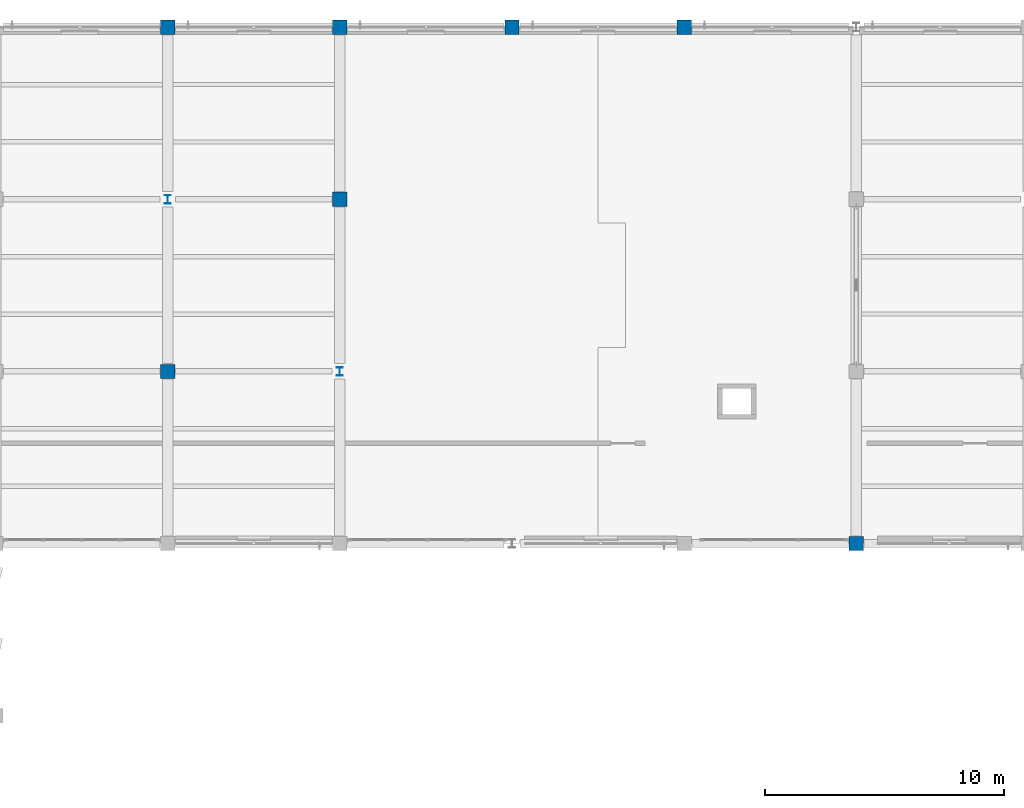
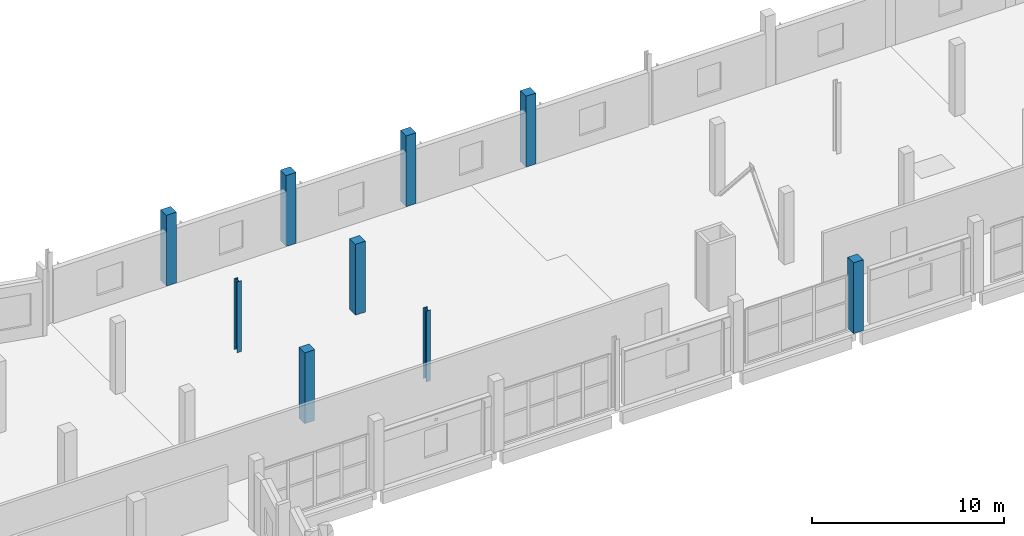
# One storey, part 13 of 123: 9 columns.
"""IFC4 building model written with IfcOpenShell, lengths in metres."""

from ifc_helpers import new_model, si_unit, direction, frame, origin, origin_2d, place, context, subcontext, project, spatial, rectangle, i_section, extrude, material, material_profile, profile_set, type_object, element, save


model = new_model("IFC4")

# Units and contexts
model_context = context("Model", 3, precision=1e-05, world=origin(), true_north=direction((0.0, 1.0)))
body_context = subcontext(model_context, "Body", "Model", "MODEL_VIEW")
ifc_project = project(units=[si_unit("LENGTHUNIT", "METRE"), si_unit("AREAUNIT", "SQUARE_METRE"), si_unit("VOLUMEUNIT", "CUBIC_METRE"), si_unit("PLANEANGLEUNIT", "RADIAN"), si_unit("MASSUNIT", "GRAM", prefix="KILO")], contexts=[model_context])

# Site, building, storey
site_placement = place(None, origin())
site = spatial("IfcSite", under=ifc_project, at=site_placement, CompositionType="ELEMENT")
building_placement = place(site_placement, origin())
building = spatial("IfcBuilding", under=site, at=building_placement, Name="Kalmorath City Hall", CompositionType="ELEMENT")
storey_placement = place(building_placement, frame((0.0, 0.0, 10.199951171875)))
storey = spatial("IfcBuildingStorey", under=building, at=storey_placement, Name="L02", CompositionType="ELEMENT", Elevation=10.199951171875)

# Columns
ifc_material_1 = material(Name="Concrete C50/60", Category="concrete")
ifc_material_profile_1 = material_profile(ifc_material_1, rectangle(XDim=0.60009765625, YDim=0.60009765625, at=origin_2d()), Name="RC-COL-600X600")
ifc_profile_set_1 = profile_set([ifc_material_profile_1], Name="Concrete C50/60")
column_type_1 = type_object("IfcColumnType", Name="Concrete column 600x600", PredefinedType="COLUMN", material=ifc_profile_set_1)
for number, where, z_axis, x_axis, name in (
    (1, (36.0, 100.800048828125, 0.0), (0.0, 0.0, 1.0), (1.0, 0.0, 0.0), "L02 column C6 (6/15)"),
    (2, (36.0, 115.199951171875, 0.0), (0.0, 0.0, 1.0), (1.0, 0.0, 0.0), "L02 column C6 (6/17)"),
    (3, (43.199951171875, 108.0, 0.0), (0.0, 0.0, 1.0), (1.0, 0.0, 0.0), "L02 column C6 (7/16)"),
    (4, (43.199951171875, 115.199951171875, 0.0), (0.0, 0.0, 1.0), (1.0, 0.0, 0.0), "L02 column C6 (7/17)"),
    (5, (50.39990234375, 115.199951171875, 0.0), (0.0, 0.0, 1.0), (1.0, 0.0, 0.0), "L02 column C6 (8/17)"),
    (6, (57.60009765625, 115.199951171875, 0.0), (0.0, 0.0, 1.0), (1.0, 0.0, 0.0), "L02 column C6 (9/17)"),
    (7, (64.800048828125, 93.60009765625, 0.0), (0.0, 0.0, 1.0), (1.0, 0.0, 0.0), "L02 column C6 (10/14)"),
):
    element("IfcColumn", number, at=place(storey_placement, frame(where, z_axis=z_axis, x_axis=x_axis)), inside=storey, type_object=column_type_1, Name=name, PredefinedType="COLUMN", context=body_context, shape_type="SweptSolid", body=[
        extrude(rectangle(XDim=0.60009765625, YDim=0.60009765625, at=origin_2d()), origin(), (0.0, 0.0, 1.0), 4.5),
    ])
ifc_material_2 = material(Name="Steel ASTM A992 Grade 50", Category="steel")
ifc_material_profile_2 = material_profile(ifc_material_2, i_section(OverallWidth=0.25390625, OverallDepth=0.35302734375, WebThickness=0.009521484375, FlangeThickness=0.016357421875, FilletRadius=0.014892578125, at=origin_2d()), Name="W14X61")
ifc_profile_set_2 = profile_set([ifc_material_profile_2], Name="Steel ASTM A992 Grade 50")
column_type_2 = type_object("IfcColumnType", Name="Steel wide-flange column W14X61", PredefinedType="COLUMN", material=ifc_profile_set_2)
for number, where, z_axis, x_axis, name in (
    (8, (36.0, 108.0, 0.0), (0.0, 0.0, 1.0), (1.0, 0.0, 0.0), "L02 column SC1 (6/16)"),
    (9, (43.199951171875, 100.800048828125, 0.0), (0.0, 0.0, 1.0), (1.0, 0.0, 0.0), "L02 column SC1 (7/15)"),
):
    element("IfcColumn", number, at=place(storey_placement, frame(where, z_axis=z_axis, x_axis=x_axis)), inside=storey, type_object=column_type_2, Name=name, PredefinedType="COLUMN", context=body_context, shape_type="SweptSolid", body=[
        extrude(i_section(OverallWidth=0.25390625, OverallDepth=0.35302734375, WebThickness=0.009521484375, FlangeThickness=0.016357421875, FilletRadius=0.014892578125, at=origin_2d()), origin(), (0.0, 0.0, 1.0), 4.5),
    ])

save(model, "model.ifc")
